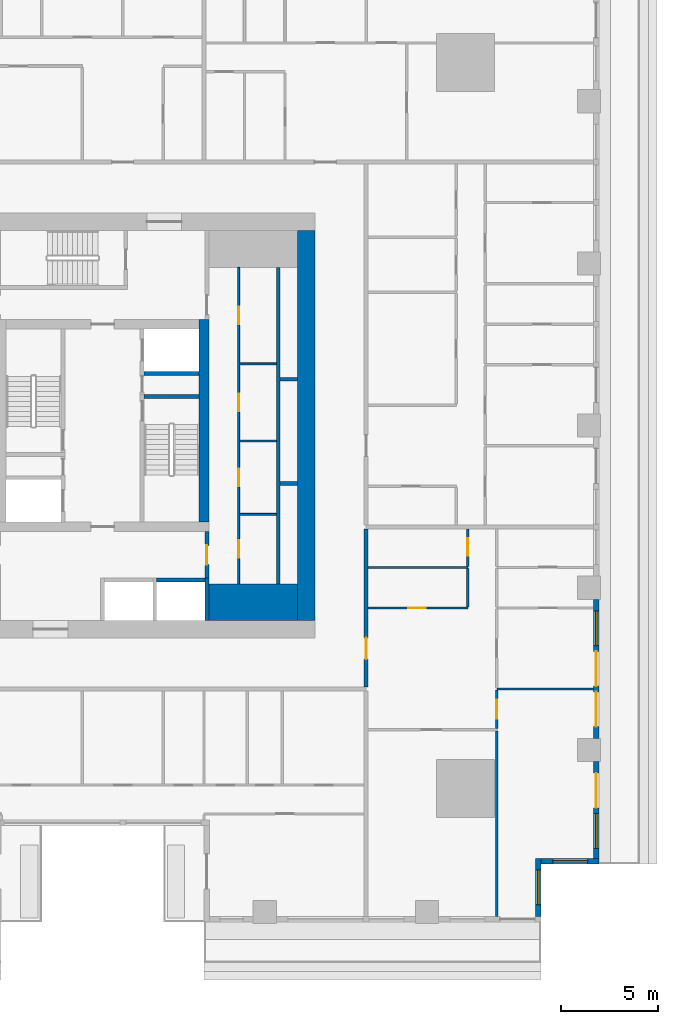
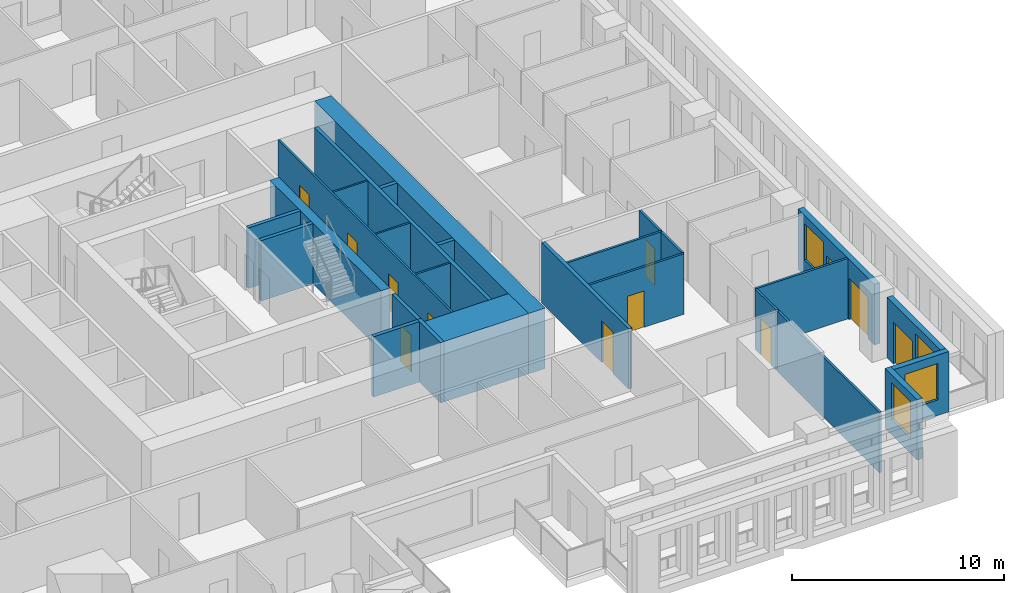
# One storey, part 5 of 15: 27 walls, 12 doors, 4 windows, 16 openings.
"""IFC4 building model written with IfcOpenShell, lengths in metres."""

from ifc_helpers import new_model, si_unit, direction, frame, frame_2d, origin, place, context, subcontext, project, spatial, rectangle, extrude, material, layer, layer_set, type_object, element, fill, save


model = new_model("IFC4")

# Units and contexts
model_context = context("Model", 3, precision=1e-05, world=origin(), true_north=direction((0.0, 1.0)))
body_context = subcontext(model_context, "Body", "Model", "MODEL_VIEW")
ifc_project = project(units=[si_unit("LENGTHUNIT", "METRE"), si_unit("AREAUNIT", "SQUARE_METRE"), si_unit("VOLUMEUNIT", "CUBIC_METRE"), si_unit("PLANEANGLEUNIT", "RADIAN"), si_unit("MASSUNIT", "GRAM", prefix="KILO")], contexts=[model_context])

# Site, building, storey
site_placement = place(None, origin())
site = spatial("IfcSite", under=ifc_project, at=site_placement, CompositionType="ELEMENT")
building_placement = place(site_placement, origin())
building = spatial("IfcBuilding", under=site, at=building_placement, Name="Khepri Terraces", CompositionType="ELEMENT")
storey_placement = place(building_placement, frame((0.0, 0.0, 34.800048828125)))
storey = spatial("IfcBuildingStorey", under=building, at=storey_placement, Name="L07", CompositionType="ELEMENT", Elevation=34.800048828125)

# Walls
ifc_material_1 = material(Name="Concrete C80/95", Category="concrete")
ifc_layer_1 = layer(ifc_material_1, 1.89990234375, Name="Concrete C80/95", Category="concrete")
ifc_layer_set_1 = layer_set([ifc_layer_1], Name="Concrete C80/95")
wall_type_1 = type_object("IfcWallType", Name="Core wall 1900 C80/95", PredefinedType="SHEAR", material=ifc_layer_set_1)
wall_1_placement = place(storey_placement, frame((5.5, -9.14990234375, 0.0), z_axis=(0.0, 0.0, 1.0), x_axis=(1.0, 0.0, 0.0)))
element("IfcWall", 1, at=wall_1_placement, inside=storey, type_object=wall_type_1, Name="Core wall PR02 L07", PredefinedType="SHEAR", context=body_context, shape_type="SweptSolid", body=[
    extrude(rectangle(XDim=4.60009765625, YDim=1.89990234375, at=frame_2d((2.300048828125, 0.0))), origin(), (0.0, 0.0, 1.0), 3.47998046875),
])
ifc_layer_2 = layer(ifc_material_1, 0.199951171875, Name="Concrete C80/95", Category="concrete")
ifc_layer_set_2 = layer_set([ifc_layer_2], Name="Concrete C80/95")
wall_type_2 = type_object("IfcWallType", Name="Core wall 200 C80/95", PredefinedType="SHEAR", material=ifc_layer_set_2)
wall_2_placement = place(storey_placement, frame((2.14990234375, 1.5, 0.0), z_axis=(0.0, 0.0, 1.0), x_axis=(1.0, 0.0, 0.0)))
element("IfcWall", 2, at=wall_2_placement, inside=storey, type_object=wall_type_2, Name="Core wall ST04 L07", PredefinedType="SHEAR", context=body_context, shape_type="SweptSolid", body=[
    extrude(rectangle(XDim=2.85009765625, YDim=0.199951171875, at=frame_2d((1.425048828125, 0.0))), origin(), (0.0, 0.0, 1.0), 3.47998046875),
])
wall_3_placement = place(storey_placement, frame((5.39990234375, -10.10009765625, 0.0), z_axis=(0.0, 0.0, 1.0), x_axis=(0.0, 1.0, 0.0)))
element("IfcWall", 3, at=wall_3_placement, inside=storey, type_object=wall_type_2, Name="Core wall SH03 L07", PredefinedType="SHEAR", context=body_context, shape_type="SweptSolid", body=[
    extrude(rectangle(XDim=2.2001953125, YDim=0.199951171875, at=frame_2d((1.10009765625, 0.0))), origin(), (0.0, 0.0, 1.0), 3.47998046875),
])
wall_4_placement = place(storey_placement, frame((9.10009765625, -8.199951171875, 0.0), z_axis=(0.0, 0.0, 1.0), x_axis=(0.0, 1.0, 0.0)))
element("IfcWall", 4, at=wall_4_placement, inside=storey, type_object=wall_type_2, Name="Core wall SH05 L07", PredefinedType="SHEAR", context=body_context, shape_type="SweptSolid", body=[
    extrude(rectangle(XDim=16.39990234375, YDim=0.199951171875, at=frame_2d((8.199951171875, 0.0))), origin(), (0.0, 0.0, 1.0), 3.47998046875),
])
wall_5_placement = place(storey_placement, frame((2.800048828125, -8.0, 0.0), z_axis=(0.0, 0.0, 1.0), x_axis=(1.0, 0.0, 0.0)))
element("IfcWall", 5, at=wall_5_placement, inside=storey, type_object=wall_type_2, Name="Core wall SH07 L07", PredefinedType="SHEAR", context=body_context, shape_type="SweptSolid", body=[
    extrude(rectangle(XDim=2.5, YDim=0.199951171875, at=frame_2d((1.25, 0.0))), origin(), (0.0, 0.0, 1.0), 3.47998046875),
])
for number, where, z_axis, x_axis, name in (
    (6, (9.199951171875, -3.0, 0.0), (0.0, 0.0, 1.0), (1.0, 0.0, 0.0), "Core wall SH11 L07"),
    (7, (9.199951171875, 2.39990234375, 0.0), (0.0, 0.0, 1.0), (1.0, 0.0, 0.0), "Core wall SH16 L07"),
):
    element("IfcWall", number, at=place(storey_placement, frame(where, z_axis=z_axis, x_axis=x_axis)), inside=storey, type_object=wall_type_2, Name=name, PredefinedType="SHEAR", context=body_context, shape_type="SweptSolid", body=[
        extrude(rectangle(XDim=0.900146484375, YDim=0.199951171875, at=frame_2d((0.4501953125, 0.0))), origin(), (0.0, 0.0, 1.0), 3.47998046875),
    ])
wall_6_placement = place(storey_placement, frame((2.14990234375, 2.699951171875, 0.0), z_axis=(0.0, 0.0, 1.0), x_axis=(1.0, 0.0, 0.0)))
element("IfcWall", 8, at=wall_6_placement, inside=storey, type_object=wall_type_2, Name="Core wall SH18 L07", PredefinedType="SHEAR", context=body_context, shape_type="SweptSolid", body=[
    extrude(rectangle(XDim=2.85009765625, YDim=0.199951171875, at=frame_2d((1.425048828125, 0.0))), origin(), (0.0, 0.0, 1.0), 3.47998046875),
])
ifc_layer_3 = layer(ifc_material_1, 0.5, Name="Concrete C80/95", Category="concrete")
ifc_layer_set_3 = layer_set([ifc_layer_3], Name="Concrete C80/95")
wall_type_3 = type_object("IfcWallType", Name="Core wall 500 C80/95", PredefinedType="SHEAR", material=ifc_layer_set_3)
wall_7_placement = place(storey_placement, frame((5.25, -5.0, 0.0), z_axis=(0.0, 0.0, 1.0), x_axis=(0.0, 1.0, 0.0)))
element("IfcWall", 9, at=wall_7_placement, inside=storey, type_object=wall_type_3, Name="Core wall BX03 L07", PredefinedType="SHEAR", context=body_context, shape_type="SweptSolid", body=[
    extrude(rectangle(XDim=10.5, YDim=0.5, at=frame_2d((5.25, 0.0))), origin(), (0.0, 0.0, 1.0), 3.47998046875),
])
ifc_layer_4 = layer(ifc_material_1, 0.89990234375, Name="Concrete C80/95", Category="concrete")
ifc_layer_set_4 = layer_set([ifc_layer_4], Name="Concrete C80/95")
wall_type_4 = type_object("IfcWallType", Name="Core wall 900 C80/95", PredefinedType="SHEAR", material=ifc_layer_set_4)
wall_8_placement = place(storey_placement, frame((10.550048828125, -10.10009765625, 0.0), z_axis=(0.0, 0.0, 1.0), x_axis=(0.0, 1.0, 0.0)))
element("IfcWall", 10, at=wall_8_placement, inside=storey, type_object=wall_type_4, Name="Core wall OW-E L07", PredefinedType="SHEAR", context=body_context, shape_type="SweptSolid", body=[
    extrude(rectangle(XDim=20.2001953125, YDim=0.89990234375, at=frame_2d((10.10009765625, 0.0))), origin(), (0.0, 0.0, 1.0), 3.47998046875),
])

# Wall, openings, doors
ifc_material_2 = material(Name="Fire-rated gypsum board partition")
ifc_layer_5 = layer(ifc_material_2, 0.10009765625, Name="Fire-rated gypsum board partition")
ifc_layer_set_5 = layer_set([ifc_layer_5], Name="Fire-rated gypsum board partition")
wall_type_5 = type_object("IfcWallType", Name="WL-CORE-PART-100", PredefinedType="PARTITIONING", material=ifc_layer_set_5)
wall_9_placement = place(storey_placement, frame((7.050048828125, -8.199951171875, 0.0), z_axis=(0.0, 0.0, 1.0), x_axis=(0.0, 1.0, 0.0)))
wall_9 = element("IfcWall", 11, at=wall_9_placement, inside=storey, type_object=wall_type_5, Name="Core partition PT02 L07", PredefinedType="PARTITIONING", context=body_context, shape_type="SweptSolid", body=[
    extrude(rectangle(XDim=16.39990234375, YDim=0.10009765625, at=frame_2d((8.199951171875, 0.0))), origin(), (0.0, 0.0, 1.0), 3.47998046875),
])
opening_1_placement = place(wall_9_placement, frame((1.35009765625, 0.0, 0.0)))
opening_1 = element("IfcOpeningElement", 12, at=opening_1_placement, cuts=wall_9, Name="Opening L07-C22", PredefinedType="OPENING", context=body_context, shape_type="SweptSolid", body=[
    extrude(rectangle(XDim=0.89990234375, YDim=2.10009765625, at=frame_2d((0.449951171875, 1.050048828125))), frame((0.0, 0.06005859375, 0.0), z_axis=(0.0, -1.0, 0.0), x_axis=(1.0, 0.0, 0.0)), (0.0, 0.0, 1.0), 0.1201171875),
])
opening_2_placement = place(wall_9_placement, frame((5.050048828125, 0.0, 0.0)))
opening_2 = element("IfcOpeningElement", 13, at=opening_2_placement, cuts=wall_9, Name="Opening L07-C23", PredefinedType="OPENING", context=body_context, shape_type="SweptSolid", body=[
    extrude(rectangle(XDim=0.89990234375, YDim=2.10009765625, at=frame_2d((0.449951171875, 1.050048828125))), frame((0.0, 0.06005859375, 0.0), z_axis=(0.0, -1.0, 0.0), x_axis=(1.0, 0.0, 0.0)), (0.0, 0.0, 1.0), 0.1201171875),
])
opening_3_placement = place(wall_9_placement, frame((8.949951171875, 0.0, 0.0)))
opening_3 = element("IfcOpeningElement", 14, at=opening_3_placement, cuts=wall_9, Name="Opening L07-C24", PredefinedType="OPENING", context=body_context, shape_type="SweptSolid", body=[
    extrude(rectangle(XDim=0.89990234375, YDim=2.10009765625, at=frame_2d((0.449951171875, 1.050048828125))), frame((0.0, 0.06005859375, 0.0), z_axis=(0.0, -1.0, 0.0), x_axis=(1.0, 0.0, 0.0)), (0.0, 0.0, 1.0), 0.1201171875),
])
opening_4_placement = place(wall_9_placement, frame((13.449951171875, 0.0, 0.0)))
opening_4 = element("IfcOpeningElement", 15, at=opening_4_placement, cuts=wall_9, Name="Opening L07-C25", PredefinedType="OPENING", context=body_context, shape_type="SweptSolid", body=[
    extrude(rectangle(XDim=0.89990234375, YDim=2.10009765625, at=frame_2d((0.449951171875, 1.050048828125))), frame((0.0, 0.06005859375, 0.0), z_axis=(0.0, -1.0, 0.0), x_axis=(1.0, 0.0, 0.0)), (0.0, 0.0, 1.0), 0.1201171875),
])
ifc_material_3 = material(Name="Painted steel", Category="steel")
door_type_1 = type_object("IfcDoorType", Name="DR-CORE-SERVICE-900", OperationType="NOTDEFINED", PredefinedType="DOOR", material=ifc_material_3)
door_1_placement = place(opening_1_placement, frame((0.89990234375, 0.0, 0.0), z_axis=(0.0, 0.0, 1.0), x_axis=(-1.0, 0.0, 0.0)))
door_1 = element("IfcDoor", 16, at=door_1_placement, inside=storey, type_object=door_type_1, Name="Service room door L07-C22", OperationType="SINGLE_SWING_RIGHT", OverallHeight=2.10009765625, OverallWidth=0.89990234375, PredefinedType="DOOR", context=body_context, shape_type="SweptSolid", body=[
    extrude(rectangle(XDim=0.89990234375, YDim=2.10009765625, at=frame_2d((0.449951171875, 1.050048828125))), frame((0.0, 0.02490234375, 0.0), z_axis=(0.0, -1.0, 0.0), x_axis=(1.0, 0.0, 0.0)), (0.0, 0.0, 1.0), 0.050048828125),
])
fill(opening_1, door_1)
door_2_placement = place(opening_2_placement, frame((0.89990234375, 0.0, 0.0), z_axis=(0.0, 0.0, 1.0), x_axis=(-1.0, 0.0, 0.0)))
door_2 = element("IfcDoor", 17, at=door_2_placement, inside=storey, type_object=door_type_1, Name="Service room door L07-C23", OperationType="SINGLE_SWING_RIGHT", OverallHeight=2.10009765625, OverallWidth=0.89990234375, PredefinedType="DOOR", context=body_context, shape_type="SweptSolid", body=[
    extrude(rectangle(XDim=0.89990234375, YDim=2.10009765625, at=frame_2d((0.449951171875, 1.050048828125))), frame((0.0, 0.02490234375, 0.0), z_axis=(0.0, -1.0, 0.0), x_axis=(1.0, 0.0, 0.0)), (0.0, 0.0, 1.0), 0.050048828125),
])
fill(opening_2, door_2)
door_3_placement = place(opening_3_placement, frame((0.89990234375, 0.0, 0.0), z_axis=(0.0, 0.0, 1.0), x_axis=(-1.0, 0.0, 0.0)))
door_3 = element("IfcDoor", 18, at=door_3_placement, inside=storey, type_object=door_type_1, Name="Service room door L07-C24", OperationType="SINGLE_SWING_LEFT", OverallHeight=2.10009765625, OverallWidth=0.89990234375, PredefinedType="DOOR", context=body_context, shape_type="SweptSolid", body=[
    extrude(rectangle(XDim=0.89990234375, YDim=2.10009765625, at=frame_2d((0.449951171875, 1.050048828125))), frame((0.0, 0.02490234375, 0.0), z_axis=(0.0, -1.0, 0.0), x_axis=(1.0, 0.0, 0.0)), (0.0, 0.0, 1.0), 0.050048828125),
])
fill(opening_3, door_3)
door_4_placement = place(opening_4_placement, frame((0.89990234375, 0.0, 0.0), z_axis=(0.0, 0.0, 1.0), x_axis=(-1.0, 0.0, 0.0)))
door_4 = element("IfcDoor", 19, at=door_4_placement, inside=storey, type_object=door_type_1, Name="Service room door L07-C25", OperationType="SINGLE_SWING_LEFT", OverallHeight=2.10009765625, OverallWidth=0.89990234375, PredefinedType="DOOR", context=body_context, shape_type="SweptSolid", body=[
    extrude(rectangle(XDim=0.89990234375, YDim=2.10009765625, at=frame_2d((0.449951171875, 1.050048828125))), frame((0.0, 0.02490234375, 0.0), z_axis=(0.0, -1.0, 0.0), x_axis=(1.0, 0.0, 0.0)), (0.0, 0.0, 1.0), 0.050048828125),
])
fill(opening_4, door_4)

# Walls
for number, where, z_axis, x_axis, name in (
    (20, (7.10009765625, -4.60009765625, 0.0), (0.0, 0.0, 1.0), (1.0, 0.0, 0.0), "Core partition PT04 L07"),
    (21, (7.10009765625, -0.800048828125, 0.0), (0.0, 0.0, 1.0), (1.0, 0.0, 0.0), "Core partition PT05 L07"),
    (22, (7.10009765625, 3.199951171875, 0.0), (0.0, 0.0, 1.0), (1.0, 0.0, 0.0), "Core partition PT06 L07"),
):
    element("IfcWall", number, at=place(storey_placement, frame(where, z_axis=z_axis, x_axis=x_axis)), inside=storey, type_object=wall_type_5, Name=name, PredefinedType="PARTITIONING", context=body_context, shape_type="SweptSolid", body=[
        extrude(rectangle(XDim=1.89990234375, YDim=0.10009765625, at=frame_2d((0.949951171875, 0.0))), origin(), (0.0, 0.0, 1.0), 3.47998046875),
    ])

# Wall, opening, door
ifc_layer_6 = layer(ifc_material_2, 0.199951171875, Name="Fire-rated gypsum board partition")
ifc_layer_set_6 = layer_set([ifc_layer_6], Name="Fire-rated gypsum board partition")
wall_type_6 = type_object("IfcWallType", Name="WL-CORE-PART-200", PredefinedType="PARTITIONING", material=ifc_layer_set_6)
wall_10_placement = place(storey_placement, frame((5.39990234375, -7.89990234375, 0.0), z_axis=(0.0, 0.0, 1.0), x_axis=(0.0, 1.0, 0.0)))
wall_10 = element("IfcWall", 23, at=wall_10_placement, inside=storey, type_object=wall_type_6, Name="Core partition PT03 L07", PredefinedType="PARTITIONING", context=body_context, shape_type="SweptSolid", body=[
    extrude(rectangle(XDim=2.39990234375, YDim=0.199951171875, at=frame_2d((1.199951171875, 0.0))), origin(), (0.0, 0.0, 1.0), 3.47998046875),
])
opening_5_placement = place(wall_10_placement, frame((0.699951171875, 0.0, 0.0)))
opening_5 = element("IfcOpeningElement", 24, at=opening_5_placement, cuts=wall_10, Name="Opening L07-C19", PredefinedType="OPENING", context=body_context, shape_type="SweptSolid", body=[
    extrude(rectangle(XDim=1.0, YDim=2.10009765625, at=frame_2d((0.5, 1.050048828125))), frame((0.0, 0.10986328125, 0.0), z_axis=(0.0, -1.0, 0.0), x_axis=(1.0, 0.0, 0.0)), (0.0, 0.0, 1.0), 0.219970703125),
])
door_type_2 = type_object("IfcDoorType", Name="DR-CORE-LOBBY-1000", OperationType="NOTDEFINED", PredefinedType="DOOR", material=ifc_material_3)
door_5_placement = place(opening_5_placement, origin())
door_5 = element("IfcDoor", 25, at=door_5_placement, inside=storey, type_object=door_type_2, Name="Lobby door L07-C19", OperationType="SINGLE_SWING_RIGHT", OverallHeight=2.10009765625, OverallWidth=1.0, PredefinedType="DOOR", context=body_context, shape_type="SweptSolid", body=[
    extrude(rectangle(XDim=1.0, YDim=2.10009765625, at=frame_2d((0.5, 1.050048828125))), frame((0.0, 0.02490234375, 0.0), z_axis=(0.0, -1.0, 0.0), x_axis=(1.0, 0.0, 0.0)), (0.0, 0.0, 1.0), 0.050048828125),
])
fill(opening_5, door_5)

ifc_material_4 = material(Name="Fire-rated gypsum plasterboard partition, mineral wool")
ifc_layer_7 = layer(ifc_material_4, 0.199951171875, Name="Fire-rated gypsum plasterboard partition, mineral wool")
ifc_layer_set_7 = layer_set([ifc_layer_7], Name="Fire-rated gypsum plasterboard partition, mineral wool")
wall_type_7 = type_object("IfcWallType", Name="WL-CORR-200", PredefinedType="PARTITIONING", material=ifc_layer_set_7)
wall_11_placement = place(storey_placement, frame((13.64990234375, -13.550048828125, 0.0), z_axis=(0.0, 0.0, 1.0), x_axis=(0.0, 1.0, 0.0)))
wall_11 = element("IfcWall", 26, at=wall_11_placement, inside=storey, type_object=wall_type_7, Name="Partition P-025 L07", PredefinedType="PARTITIONING", context=body_context, shape_type="SweptSolid", body=[
    extrude(rectangle(XDim=8.199951171875, YDim=0.199951171875, at=frame_2d((4.10009765625, 0.0))), origin(), (0.0, 0.0, 1.0), 3.47998046875),
])
opening_6_placement = place(wall_11_placement, frame((1.449951171875, 0.0, 0.0)))
opening_6 = element("IfcOpeningElement", 27, at=opening_6_placement, cuts=wall_11, Name="Opening D1", PredefinedType="OPENING", context=body_context, shape_type="SweptSolid", body=[
    extrude(rectangle(XDim=1.10009765625, YDim=2.39990234375, at=frame_2d((0.550048828125, 1.199951171875))), frame((0.0, 0.10986328125, 0.0), z_axis=(0.0, -1.0, 0.0), x_axis=(1.0, 0.0, 0.0)), (0.0, 0.0, 1.0), 0.219970703125),
])
ifc_material_5 = material(Name="Solid-core timber door leaf, flat entrance door", Category="wood")
door_type_3 = type_object("IfcDoorType", Name="DR-ENT-1100", OperationType="NOTDEFINED", PredefinedType="DOOR", material=ifc_material_5)
door_6_placement = place(opening_6_placement, frame((1.10009765625, 0.0, 0.0), z_axis=(0.0, 0.0, 1.0), x_axis=(-1.0, 0.0, 0.0)))
door_6 = element("IfcDoor", 28, at=door_6_placement, inside=storey, type_object=door_type_3, Name="Flat B1 entrance door", OperationType="SINGLE_SWING_RIGHT", OverallHeight=2.39990234375, OverallWidth=1.10009765625, PredefinedType="DOOR", context=body_context, shape_type="SweptSolid", body=[
    extrude(rectangle(XDim=1.10009765625, YDim=2.39990234375, at=frame_2d((0.550048828125, 1.199951171875))), frame((0.0, 0.02490234375, 0.0), z_axis=(0.0, -1.0, 0.0), x_axis=(1.0, 0.0, 0.0)), (0.0, 0.0, 1.0), 0.050048828125),
])
fill(opening_6, door_6)

# Wall, opening, window
ifc_material_6 = material(Name="Precast concrete C50/60 warm stone", Category="masonry")
ifc_layer_8 = layer(ifc_material_6, 0.300048828125, Name="Precast concrete C50/60 warm stone", Category="masonry")
ifc_layer_set_8 = layer_set([ifc_layer_8], Name="Precast concrete C50/60 warm stone")
wall_type_8 = type_object("IfcWallType", Name="WL-EXT-PRECAST-300", PredefinedType="STANDARD", material=ifc_layer_set_8)
wall_12_placement = place(storey_placement, frame((22.719970703125, -22.570068359375, 0.0), z_axis=(0.0, 0.0, 1.0), x_axis=(1.0, 0.0, 0.0)))
wall_12 = element("IfcWall", 29, at=wall_12_placement, inside=storey, type_object=wall_type_8, Name="External wall L07 S", PredefinedType="STANDARD", context=body_context, shape_type="SweptSolid", body=[
    extrude(rectangle(XDim=3.0, YDim=0.300048828125, at=frame_2d((1.5, 0.0))), origin(), (0.0, 0.0, 1.0), 3.47998046875),
])
opening_7_placement = place(wall_12_placement, frame((0.60009765625, 0.0, 0.89990234375)))
opening_7 = element("IfcOpeningElement", 30, at=opening_7_placement, cuts=wall_12, Name="Opening W1", PredefinedType="OPENING", context=body_context, shape_type="SweptSolid", body=[
    extrude(rectangle(XDim=1.800048828125, YDim=2.10009765625, at=frame_2d((0.89990234375, 1.050048828125))), frame((0.0, 0.16015625, 0.0), z_axis=(0.0, -1.0, 0.0), x_axis=(1.0, 0.0, 0.0)), (0.0, 0.0, 1.0), 0.320068359375),
])
ifc_material_7 = material(Name="Clear glass", Category="glass")
window_type = type_object("IfcWindowType", Name="WIN-RES-1800x2100", PartitioningType="SINGLE_PANEL", PredefinedType="WINDOW", material=ifc_material_7)
window_1_placement = place(opening_7_placement, origin())
window_1 = element("IfcWindow", 31, at=window_1_placement, inside=storey, type_object=window_type, Name="Window L07 S", OverallHeight=2.10009765625, OverallWidth=1.800048828125, PartitioningType="SINGLE_PANEL", PredefinedType="WINDOW", context=body_context, shape_type="SweptSolid", body=[
    extrude(rectangle(XDim=1.800048828125, YDim=2.10009765625, at=frame_2d((0.89990234375, 1.050048828125))), frame((0.0, 0.030029296875, 0.0), z_axis=(0.0, -1.0, 0.0), x_axis=(1.0, 0.0, 0.0)), (0.0, 0.0, 1.0), 0.06005859375),
])
fill(opening_7, window_1)

# Wall, openings, door, window
wall_13_placement = place(storey_placement, frame((25.570068359375, -22.419921875, 0.0), z_axis=(0.0, 0.0, 1.0), x_axis=(0.0, 1.0, 0.0)))
wall_13 = element("IfcWall", 32, at=wall_13_placement, inside=storey, type_object=wall_type_8, Name="External wall L07 E", PredefinedType="STANDARD", context=body_context, shape_type="SweptSolid", body=[
    extrude(rectangle(XDim=5.02001953125, YDim=0.300048828125, at=frame_2d((2.510009765625, 0.0))), origin(), (0.0, 0.0, 1.0), 3.47998046875),
])
opening_8_placement = place(wall_13_placement, frame((0.52001953125, 0.0, 0.89990234375)))
opening_8 = element("IfcOpeningElement", 33, at=opening_8_placement, cuts=wall_13, Name="Opening W1", PredefinedType="OPENING", context=body_context, shape_type="SweptSolid", body=[
    extrude(rectangle(XDim=1.800048828125, YDim=2.10009765625, at=frame_2d((0.89990234375, 1.050048828125))), frame((0.0, 0.16015625, 0.0), z_axis=(0.0, -1.0, 0.0), x_axis=(1.0, 0.0, 0.0)), (0.0, 0.0, 1.0), 0.320068359375),
])
opening_9_placement = place(wall_13_placement, frame((2.6201171875, 0.0, 0.0)))
opening_9 = element("IfcOpeningElement", 34, at=opening_9_placement, cuts=wall_13, Name="Opening ED-L07-01", PredefinedType="OPENING", context=body_context, shape_type="SweptSolid", body=[
    extrude(rectangle(XDim=1.800048828125, YDim=2.39990234375, at=frame_2d((0.89990234375, 1.199951171875))), frame((0.0, 0.16015625, 0.0), z_axis=(0.0, -1.0, 0.0), x_axis=(1.0, 0.0, 0.0)), (0.0, 0.0, 1.0), 0.320068359375),
])
ifc_material_8 = material(Name="Anodised aluminium bronze glazed door", Category="aluminium")
door_type_4 = type_object("IfcDoorType", Name="DR-BAL-SLIDE-1800x2400", OperationType="NOTDEFINED", PredefinedType="DOOR", material=ifc_material_8)
door_7_placement = place(opening_9_placement, origin())
door_7 = element("IfcDoor", 35, at=door_7_placement, inside=storey, type_object=door_type_4, Name="Balcony door L07 E", OperationType="SLIDING_TO_RIGHT", OverallHeight=2.39990234375, OverallWidth=1.800048828125, PredefinedType="DOOR", context=body_context, shape_type="SweptSolid", body=[
    extrude(rectangle(XDim=1.800048828125, YDim=2.39990234375, at=frame_2d((0.89990234375, 1.199951171875))), frame((0.0, 0.02490234375, 0.0), z_axis=(0.0, -1.0, 0.0), x_axis=(1.0, 0.0, 0.0)), (0.0, 0.0, 1.0), 0.050048828125),
])
fill(opening_9, door_7)
window_2_placement = place(opening_8_placement, origin())
window_2 = element("IfcWindow", 36, at=window_2_placement, inside=storey, type_object=window_type, Name="Window L07 E", OverallHeight=2.10009765625, OverallWidth=1.800048828125, PartitioningType="SINGLE_PANEL", PredefinedType="WINDOW", context=body_context, shape_type="SweptSolid", body=[
    extrude(rectangle(XDim=1.800048828125, YDim=2.10009765625, at=frame_2d((0.89990234375, 1.050048828125))), frame((0.0, 0.030029296875, 0.0), z_axis=(0.0, -1.0, 0.0), x_axis=(1.0, 0.0, 0.0)), (0.0, 0.0, 1.0), 0.06005859375),
])
fill(opening_8, window_2)

# Wall, openings, doors, window
wall_14_placement = place(storey_placement, frame((25.570068359375, -16.199951171875, 0.0), z_axis=(0.0, 0.0, 1.0), x_axis=(0.0, 1.0, 0.0)))
wall_14 = element("IfcWall", 37, at=wall_14_placement, inside=storey, type_object=wall_type_8, Name="External wall L07 E", PredefinedType="STANDARD", context=body_context, shape_type="SweptSolid", body=[
    extrude(rectangle(XDim=7.199951171875, YDim=0.300048828125, at=frame_2d((3.60009765625, 0.0))), origin(), (0.0, 0.0, 1.0), 3.47998046875),
])
opening_10_placement = place(wall_14_placement, frame((0.60009765625, 0.0, 0.0)))
opening_10 = element("IfcOpeningElement", 38, at=opening_10_placement, cuts=wall_14, Name="Opening ED-L07-02", PredefinedType="OPENING", context=body_context, shape_type="SweptSolid", body=[
    extrude(rectangle(XDim=1.800048828125, YDim=2.39990234375, at=frame_2d((0.89990234375, 1.199951171875))), frame((0.0, 0.16015625, 0.0), z_axis=(0.0, -1.0, 0.0), x_axis=(1.0, 0.0, 0.0)), (0.0, 0.0, 1.0), 0.320068359375),
])
opening_11_placement = place(wall_14_placement, frame((2.699951171875, 0.0, 0.0)))
opening_11 = element("IfcOpeningElement", 39, at=opening_11_placement, cuts=wall_14, Name="Opening ED-L07-03", PredefinedType="OPENING", context=body_context, shape_type="SweptSolid", body=[
    extrude(rectangle(XDim=1.800048828125, YDim=2.39990234375, at=frame_2d((0.89990234375, 1.199951171875))), frame((0.0, 0.16015625, 0.0), z_axis=(0.0, -1.0, 0.0), x_axis=(1.0, 0.0, 0.0)), (0.0, 0.0, 1.0), 0.320068359375),
])
opening_12_placement = place(wall_14_placement, frame((4.800048828125, 0.0, 0.89990234375)))
opening_12 = element("IfcOpeningElement", 40, at=opening_12_placement, cuts=wall_14, Name="Opening W1", PredefinedType="OPENING", context=body_context, shape_type="SweptSolid", body=[
    extrude(rectangle(XDim=1.800048828125, YDim=2.10009765625, at=frame_2d((0.89990234375, 1.050048828125))), frame((0.0, 0.16015625, 0.0), z_axis=(0.0, -1.0, 0.0), x_axis=(1.0, 0.0, 0.0)), (0.0, 0.0, 1.0), 0.320068359375),
])
door_8_placement = place(opening_10_placement, origin())
door_8 = element("IfcDoor", 41, at=door_8_placement, inside=storey, type_object=door_type_4, Name="Balcony door L07 E", OperationType="SLIDING_TO_LEFT", OverallHeight=2.39990234375, OverallWidth=1.800048828125, PredefinedType="DOOR", context=body_context, shape_type="SweptSolid", body=[
    extrude(rectangle(XDim=1.800048828125, YDim=2.39990234375, at=frame_2d((0.89990234375, 1.199951171875))), frame((0.0, 0.02490234375, 0.0), z_axis=(0.0, -1.0, 0.0), x_axis=(1.0, 0.0, 0.0)), (0.0, 0.0, 1.0), 0.050048828125),
])
fill(opening_10, door_8)
door_9_placement = place(opening_11_placement, origin())
door_9 = element("IfcDoor", 42, at=door_9_placement, inside=storey, type_object=door_type_4, Name="Balcony door L07 E", OperationType="SLIDING_TO_RIGHT", OverallHeight=2.39990234375, OverallWidth=1.800048828125, PredefinedType="DOOR", context=body_context, shape_type="SweptSolid", body=[
    extrude(rectangle(XDim=1.800048828125, YDim=2.39990234375, at=frame_2d((0.89990234375, 1.199951171875))), frame((0.0, 0.02490234375, 0.0), z_axis=(0.0, -1.0, 0.0), x_axis=(1.0, 0.0, 0.0)), (0.0, 0.0, 1.0), 0.050048828125),
])
fill(opening_11, door_9)
window_3_placement = place(opening_12_placement, origin())
window_3 = element("IfcWindow", 43, at=window_3_placement, inside=storey, type_object=window_type, Name="Window L07 E", OverallHeight=2.10009765625, OverallWidth=1.800048828125, PartitioningType="SINGLE_PANEL", PredefinedType="WINDOW", context=body_context, shape_type="SweptSolid", body=[
    extrude(rectangle(XDim=1.800048828125, YDim=2.10009765625, at=frame_2d((0.89990234375, 1.050048828125))), frame((0.0, 0.030029296875, 0.0), z_axis=(0.0, -1.0, 0.0), x_axis=(1.0, 0.0, 0.0)), (0.0, 0.0, 1.0), 0.06005859375),
])
fill(opening_12, window_3)

# Wall, opening, window
wall_15_placement = place(storey_placement, frame((22.570068359375, -25.419921875, 0.0), z_axis=(0.0, 0.0, 1.0), x_axis=(0.0, 1.0, 0.0)))
wall_15 = element("IfcWall", 44, at=wall_15_placement, inside=storey, type_object=wall_type_8, Name="External wall L07 E", PredefinedType="STANDARD", context=body_context, shape_type="SweptSolid", body=[
    extrude(rectangle(XDim=3.0, YDim=0.300048828125, at=frame_2d((1.5, 0.0))), origin(), (0.0, 0.0, 1.0), 3.47998046875),
])
opening_13_placement = place(wall_15_placement, frame((0.60009765625, 0.0, 0.89990234375)))
opening_13 = element("IfcOpeningElement", 45, at=opening_13_placement, cuts=wall_15, Name="Opening W1", PredefinedType="OPENING", context=body_context, shape_type="SweptSolid", body=[
    extrude(rectangle(XDim=1.800048828125, YDim=2.10009765625, at=frame_2d((0.89990234375, 1.050048828125))), frame((0.0, 0.16015625, 0.0), z_axis=(0.0, -1.0, 0.0), x_axis=(1.0, 0.0, 0.0)), (0.0, 0.0, 1.0), 0.320068359375),
])
window_4_placement = place(opening_13_placement, origin())
window_4 = element("IfcWindow", 46, at=window_4_placement, inside=storey, type_object=window_type, Name="Window L07 E", OverallHeight=2.10009765625, OverallWidth=1.800048828125, PartitioningType="SINGLE_PANEL", PredefinedType="WINDOW", context=body_context, shape_type="SweptSolid", body=[
    extrude(rectangle(XDim=1.800048828125, YDim=2.10009765625, at=frame_2d((0.89990234375, 1.050048828125))), frame((0.0, 0.030029296875, 0.0), z_axis=(0.0, -1.0, 0.0), x_axis=(1.0, 0.0, 0.0)), (0.0, 0.0, 1.0), 0.06005859375),
])
fill(opening_13, window_4)

# Wall
ifc_material_9 = material(Name="Gypsum plasterboard partition")
ifc_layer_9 = layer(ifc_material_9, 0.1201171875, Name="Gypsum plasterboard partition")
ifc_layer_set_9 = layer_set([ifc_layer_9], Name="Gypsum plasterboard partition")
wall_type_9 = type_object("IfcWallType", Name="WL-PART-120", PredefinedType="PARTITIONING", material=ifc_layer_set_9)
wall_16_placement = place(storey_placement, frame((20.419921875, -25.419921875, 0.0), z_axis=(0.0, 0.0, 1.0), x_axis=(0.0, 1.0, 0.0)))
element("IfcWall", 47, at=wall_16_placement, inside=storey, type_object=wall_type_9, Name="Partition P-003 L07", PredefinedType="PARTITIONING", context=body_context, shape_type="SweptSolid", body=[
    extrude(rectangle(XDim=9.60986328125, YDim=0.1201171875, at=frame_2d((4.804931640625, 0.0))), origin(), (0.0, 0.0, 1.0), 3.47998046875),
])

# Wall, opening, door
wall_17_placement = place(storey_placement, frame((20.419921875, -15.68994140625, 0.0), z_axis=(0.0, 0.0, 1.0), x_axis=(0.0, 1.0, 0.0)))
wall_17 = element("IfcWall", 48, at=wall_17_placement, inside=storey, type_object=wall_type_9, Name="Partition P-018 L07", PredefinedType="PARTITIONING", context=body_context, shape_type="SweptSolid", body=[
    extrude(rectangle(XDim=1.97998046875, YDim=0.1201171875, at=frame_2d((0.989990234375, 0.0))), origin(), (0.0, 0.0, 1.0), 3.47998046875),
])
opening_14_placement = place(wall_17_placement, frame((0.489990234375, 0.0, 0.0)))
opening_14 = element("IfcOpeningElement", 49, at=opening_14_placement, cuts=wall_17, Name="Opening D2", PredefinedType="OPENING", context=body_context, shape_type="SweptSolid", body=[
    extrude(rectangle(XDim=1.0, YDim=2.10009765625, at=frame_2d((0.5, 1.050048828125))), frame((0.0, 0.070068359375, 0.0), z_axis=(0.0, -1.0, 0.0), x_axis=(1.0, 0.0, 0.0)), (0.0, 0.0, 1.0), 0.14013671875),
])
ifc_material_10 = material(Name="Timber door leaf, living room door", Category="wood")
door_type_5 = type_object("IfcDoorType", Name="DR-INT-1000", OperationType="NOTDEFINED", PredefinedType="DOOR", material=ifc_material_10)
door_10_placement = place(opening_14_placement, frame((1.0, 0.0, 0.0), z_axis=(0.0, 0.0, 1.0), x_axis=(-1.0, 0.0, 0.0)))
door_10 = element("IfcDoor", 50, at=door_10_placement, inside=storey, type_object=door_type_5, Name="Door Living Room", OperationType="SINGLE_SWING_LEFT", OverallHeight=2.10009765625, OverallWidth=1.0, PredefinedType="DOOR", context=body_context, shape_type="SweptSolid", body=[
    extrude(rectangle(XDim=1.0, YDim=2.10009765625, at=frame_2d((0.5, 1.050048828125))), frame((0.0, 0.02490234375, 0.0), z_axis=(0.0, -1.0, 0.0), x_axis=(1.0, 0.0, 0.0)), (0.0, 0.0, 1.0), 0.050048828125),
])
fill(opening_14, door_10)

# Wall
wall_18_placement = place(storey_placement, frame((20.419921875, -13.64990234375, 0.0), z_axis=(0.0, 0.0, 1.0), x_axis=(1.0, 0.0, 0.0)))
element("IfcWall", 51, at=wall_18_placement, inside=storey, type_object=wall_type_9, Name="Partition P-020 L07", PredefinedType="PARTITIONING", context=body_context, shape_type="SweptSolid", body=[
    extrude(rectangle(XDim=5.0, YDim=0.1201171875, at=frame_2d((2.5, 0.0))), origin(), (0.0, 0.0, 1.0), 3.47998046875),
])

# Wall, opening, door
wall_19_placement = place(storey_placement, frame((13.75, -9.449951171875, 0.0), z_axis=(0.0, 0.0, 1.0), x_axis=(1.0, 0.0, 0.0)))
wall_19 = element("IfcWall", 52, at=wall_19_placement, inside=storey, type_object=wall_type_9, Name="Partition P-030 L07", PredefinedType="PARTITIONING", context=body_context, shape_type="SweptSolid", body=[
    extrude(rectangle(XDim=5.169921875, YDim=0.1201171875, at=frame_2d((2.5849609375, 0.0))), origin(), (0.0, 0.0, 1.0), 3.47998046875),
])
opening_15_placement = place(wall_19_placement, frame((2.0849609375, 0.0, 0.0)))
opening_15 = element("IfcOpeningElement", 53, at=opening_15_placement, cuts=wall_19, Name="Opening D4", PredefinedType="OPENING", context=body_context, shape_type="SweptSolid", body=[
    extrude(rectangle(XDim=0.89990234375, YDim=2.10009765625, at=frame_2d((0.449951171875, 1.050048828125))), frame((0.0, 0.070068359375, 0.0), z_axis=(0.0, -1.0, 0.0), x_axis=(1.0, 0.0, 0.0)), (0.0, 0.0, 1.0), 0.14013671875),
])
ifc_material_11 = material(Name="Timber door leaf, moisture resistant", Category="wood")
door_type_6 = type_object("IfcDoorType", Name="DR-WET-900", OperationType="NOTDEFINED", PredefinedType="DOOR", material=ifc_material_11)
door_11_placement = place(opening_15_placement, origin())
door_11 = element("IfcDoor", 54, at=door_11_placement, inside=storey, type_object=door_type_6, Name="Door Guest Bathroom", OperationType="SINGLE_SWING_LEFT", OverallHeight=2.10009765625, OverallWidth=0.89990234375, PredefinedType="DOOR", context=body_context, shape_type="SweptSolid", body=[
    extrude(rectangle(XDim=0.89990234375, YDim=2.10009765625, at=frame_2d((0.449951171875, 1.050048828125))), frame((0.0, 0.02490234375, 0.0), z_axis=(0.0, -1.0, 0.0), x_axis=(1.0, 0.0, 0.0)), (0.0, 0.0, 1.0), 0.050048828125),
])
fill(opening_15, door_11)

# Walls
wall_20_placement = place(storey_placement, frame((18.919921875, -9.389892578125, 0.0), z_axis=(0.0, 0.0, 1.0), x_axis=(0.0, 1.0, 0.0)))
element("IfcWall", 55, at=wall_20_placement, inside=storey, type_object=wall_type_9, Name="Partition P-032 L07", PredefinedType="PARTITIONING", context=body_context, shape_type="SweptSolid", body=[
    extrude(rectangle(XDim=1.97998046875, YDim=0.1201171875, at=frame_2d((0.989990234375, 0.0))), origin(), (0.0, 0.0, 1.0), 3.47998046875),
])
wall_21_placement = place(storey_placement, frame((13.75, -7.35009765625, 0.0), z_axis=(0.0, 0.0, 1.0), x_axis=(1.0, 0.0, 0.0)))
element("IfcWall", 56, at=wall_21_placement, inside=storey, type_object=wall_type_9, Name="Partition P-035 L07", PredefinedType="PARTITIONING", context=body_context, shape_type="SweptSolid", body=[
    extrude(rectangle(XDim=5.169921875, YDim=0.1201171875, at=frame_2d((2.5849609375, 0.0))), origin(), (0.0, 0.0, 1.0), 3.47998046875),
])

# Wall, opening, door
wall_22_placement = place(storey_placement, frame((18.919921875, -7.2900390625, 0.0), z_axis=(0.0, 0.0, 1.0), x_axis=(0.0, 1.0, 0.0)))
wall_22 = element("IfcWall", 57, at=wall_22_placement, inside=storey, type_object=wall_type_9, Name="Partition P-038 L07", PredefinedType="PARTITIONING", context=body_context, shape_type="SweptSolid", body=[
    extrude(rectangle(XDim=1.93994140625, YDim=0.1201171875, at=frame_2d((0.969970703125, 0.0))), origin(), (0.0, 0.0, 1.0), 3.47998046875),
])
opening_16_placement = place(wall_22_placement, frame((0.5400390625, 0.0, 0.0)))
opening_16 = element("IfcOpeningElement", 58, at=opening_16_placement, cuts=wall_22, Name="Opening D3", PredefinedType="OPENING", context=body_context, shape_type="SweptSolid", body=[
    extrude(rectangle(XDim=0.89990234375, YDim=2.10009765625, at=frame_2d((0.449951171875, 1.050048828125))), frame((0.0, 0.070068359375, 0.0), z_axis=(0.0, -1.0, 0.0), x_axis=(1.0, 0.0, 0.0)), (0.0, 0.0, 1.0), 0.14013671875),
])
ifc_material_12 = material(Name="Timber door leaf", Category="wood")
door_type_7 = type_object("IfcDoorType", Name="DR-INT-900", OperationType="NOTDEFINED", PredefinedType="DOOR", material=ifc_material_12)
door_12_placement = place(opening_16_placement, origin())
door_12 = element("IfcDoor", 59, at=door_12_placement, inside=storey, type_object=door_type_7, Name="Door Kitchen", OperationType="SINGLE_SWING_RIGHT", OverallHeight=2.10009765625, OverallWidth=0.89990234375, PredefinedType="DOOR", context=body_context, shape_type="SweptSolid", body=[
    extrude(rectangle(XDim=0.89990234375, YDim=2.10009765625, at=frame_2d((0.449951171875, 1.050048828125))), frame((0.0, 0.02490234375, 0.0), z_axis=(0.0, -1.0, 0.0), x_axis=(1.0, 0.0, 0.0)), (0.0, 0.0, 1.0), 0.050048828125),
])
fill(opening_16, door_12)

save(model, "model.ifc")
